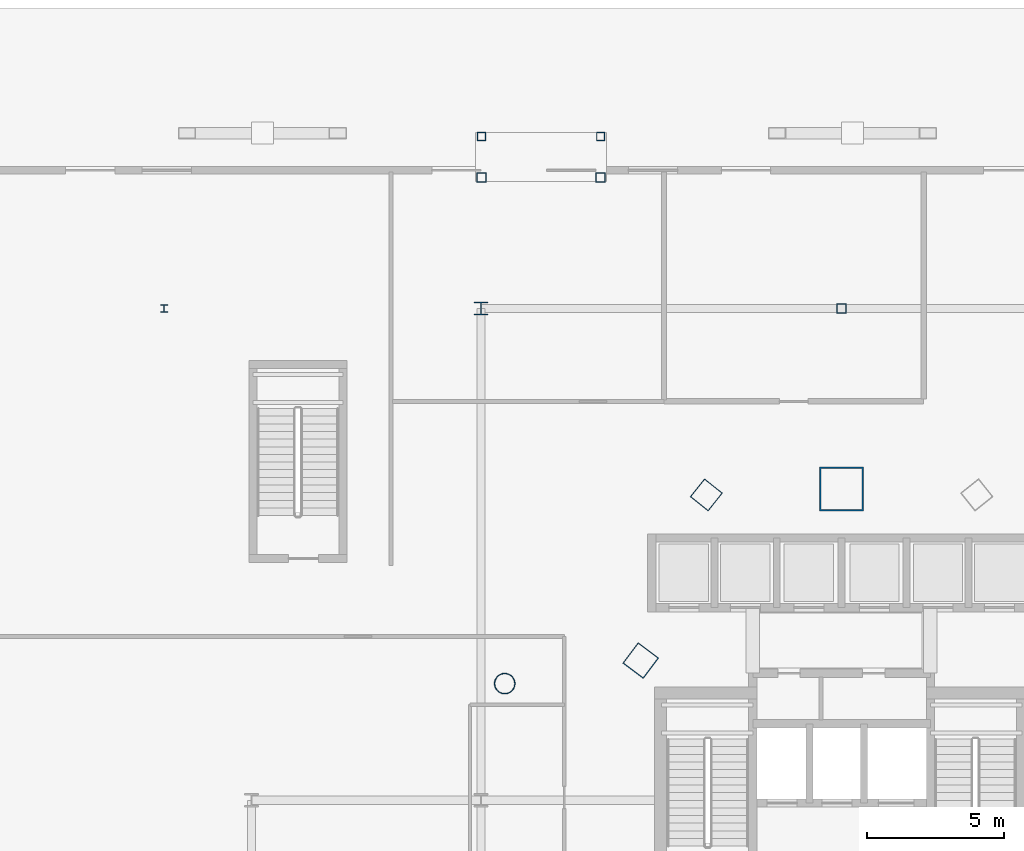
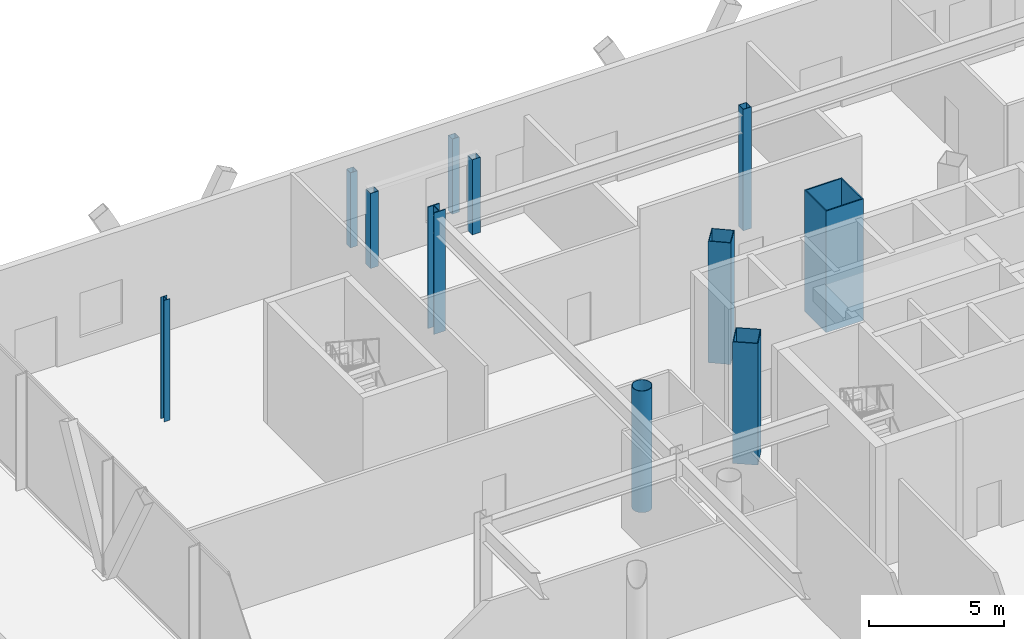
# One storey, part 3 of 38: 11 columns.
"""IFC4 building model written with IfcOpenShell, lengths in metres."""

from ifc_helpers import new_model, si_unit, direction, frame, origin, origin_2d, place, context, subcontext, project, spatial, hollow_rectangle, hollow_circle, i_section, extrude, material, material_profile, profile_set, type_object, element, save


model = new_model("IFC4")

# Units and contexts
model_context = context("Model", 3, precision=1e-05, world=origin(), true_north=direction((0.0, 1.0)))
body_context = subcontext(model_context, "Body", "Model", "MODEL_VIEW")
ifc_project = project(units=[si_unit("LENGTHUNIT", "METRE"), si_unit("AREAUNIT", "SQUARE_METRE"), si_unit("VOLUMEUNIT", "CUBIC_METRE"), si_unit("PLANEANGLEUNIT", "RADIAN"), si_unit("MASSUNIT", "GRAM", prefix="KILO")], contexts=[model_context])

# Site, building, storey
site_placement = place(None, origin())
site = spatial("IfcSite", under=ifc_project, at=site_placement, CompositionType="ELEMENT")
building_placement = place(site_placement, origin())
building = spatial("IfcBuilding", under=site, at=building_placement, Name="Orvanel Arch Residences", CompositionType="ELEMENT")
storey_placement = place(building_placement, origin())
storey = spatial("IfcBuildingStorey", under=building, at=storey_placement, Name="L00", CompositionType="ELEMENT", Elevation=0.0)

# Columns
ifc_material_1 = material(Name="Structural steel AS/NZS 1163 C450L0 (Grade 450)", Category="steel")
ifc_material_profile_1 = material_profile(ifc_material_1, hollow_circle(Radius=0.381103515625, WallThickness=0.02197265625, at=origin_2d()), Name="CHS762x22")
ifc_profile_set_1 = profile_set([ifc_material_profile_1], Name="Structural steel AS/NZS 1163 C450L0 (Grade 450)")
column_type_1 = type_object("IfcColumnType", Name="CC-762", PredefinedType="COLUMN", material=ifc_profile_set_1)
column_1_placement = place(storey_placement, frame((20.669921875, 34.27099609375, 0.0), z_axis=(0.0, 0.0, 1.0), x_axis=(1.0, 0.0, 0.0)))
element("IfcColumn", 1, at=column_1_placement, inside=storey, type_object=column_type_1, Name="L00 Low-Rise Buttress Tube Column 01", PredefinedType="COLUMN", context=body_context, shape_type="SweptSolid", body=[
    extrude(hollow_circle(Radius=0.381103515625, WallThickness=0.02197265625, at=origin_2d()), origin(), (0.0, 0.0, 1.0), 5.5),
])
ifc_material_2 = material(Name="Structural steel AS/NZS 3678 Grade 450", Category="steel")
ifc_material_profile_2 = material_profile(ifc_material_2, hollow_rectangle(XDim=1.60009765625, YDim=1.60009765625, WallThickness=0.050048828125, at=origin_2d()), Name="BOX1600x1600x50")
ifc_profile_set_2 = profile_set([ifc_material_profile_2], Name="Structural steel AS/NZS 3678 Grade 450")
column_type_2 = type_object("IfcColumnType", Name="MC-1600", PredefinedType="COLUMN", material=ifc_profile_set_2)
column_2_placement = place(storey_placement, frame((33.0, 41.39794921875, 0.0), z_axis=(0.0, 0.0, 1.0), x_axis=(1.0, 0.0, 0.0)))
element("IfcColumn", 2, at=column_2_placement, inside=storey, type_object=column_type_2, Name="L00 Corner Composite Mega-Column 1", PredefinedType="COLUMN", context=body_context, shape_type="SweptSolid", body=[
    extrude(hollow_rectangle(XDim=1.60009765625, YDim=1.60009765625, WallThickness=0.050048828125, at=origin_2d()), origin(), (0.0, 0.0, 1.0), 5.5),
])
ifc_material_3 = material(Name="Structural steel AS/NZS 1163 C350L0 (Grade 350)", Category="steel")
ifc_material_profile_3 = material_profile(ifc_material_3, hollow_rectangle(XDim=0.300048828125, YDim=0.300048828125, WallThickness=0.012451171875, at=origin_2d()), Name="SHS300x300x12.5")
ifc_profile_set_3 = profile_set([ifc_material_profile_3], Name="Structural steel AS/NZS 1163 C350L0 (Grade 350)")
column_type_3 = type_object("IfcColumnType", Name="OC-300SHS-EXT", PredefinedType="COLUMN", material=ifc_profile_set_3)
for number, where, z_axis, x_axis, name in (
    (3, (19.820068359375, 54.300048828125, 0.0), (0.0, 0.0, 1.0), (1.0, 0.0, 0.0), "L00 Canopy Front Post 05.1"),
    (4, (24.179931640625, 54.300048828125, 0.0), (0.0, 0.0, 1.0), (1.0, 0.0, 0.0), "L00 Canopy Front Post 05.2"),
):
    element("IfcColumn", number, at=place(storey_placement, frame(where, z_axis=z_axis, x_axis=x_axis)), inside=storey, type_object=column_type_3, Name=name, PredefinedType="COLUMN", context=body_context, shape_type="SweptSolid", body=[
        extrude(hollow_rectangle(XDim=0.300048828125, YDim=0.300048828125, WallThickness=0.012451171875, at=origin_2d()), origin(), (0.0, 0.0, 1.0), 3.39990234375),
    ])
ifc_material_profile_4 = material_profile(ifc_material_3, hollow_rectangle(XDim=0.35009765625, YDim=0.35009765625, WallThickness=0.01611328125, at=origin_2d()), Name="SHS350x350x16")
ifc_profile_set_4 = profile_set([ifc_material_profile_4], Name="Structural steel AS/NZS 1163 C350L0 (Grade 350)")
column_type_4 = type_object("IfcColumnType", Name="OC-350SHS", PredefinedType="COLUMN", material=ifc_profile_set_4)
column_3_placement = place(storey_placement, frame((33.0, 48.0, 0.0), z_axis=(0.0, 0.0, 1.0), x_axis=(1.0, 0.0, 0.0)))
element("IfcColumn", 5, at=column_3_placement, inside=storey, type_object=column_type_4, Name="L00 Auxiliary Podium Column 07", PredefinedType="COLUMN", context=body_context, shape_type="SweptSolid", body=[
    extrude(hollow_rectangle(XDim=0.35009765625, YDim=0.35009765625, WallThickness=0.01611328125, at=origin_2d()), origin(), (0.0, 0.0, 1.0), 5.5),
])
for number, where, z_axis, x_axis, name in (
    (6, (19.820068359375, 52.800048828125, 0.0), (0.0, 0.0, 1.0), (1.0, 0.0, 0.0), "L00 Canopy Rear Support Column 05.1"),
    (7, (24.179931640625, 52.800048828125, 0.0), (0.0, 0.0, 1.0), (1.0, 0.0, 0.0), "L00 Canopy Rear Support Column 05.2"),
):
    element("IfcColumn", number, at=place(storey_placement, frame(where, z_axis=z_axis, x_axis=x_axis)), inside=storey, type_object=column_type_4, Name=name, PredefinedType="COLUMN", context=body_context, shape_type="SweptSolid", body=[
        extrude(hollow_rectangle(XDim=0.35009765625, YDim=0.35009765625, WallThickness=0.01611328125, at=origin_2d()), origin(), (0.0, 0.0, 1.0), 3.39990234375),
    ])
ifc_material_4 = material(Name="Structural steel AS/NZS 3679.1 Grade 300 (300 MPa)", Category="steel")
ifc_material_profile_5 = material_profile(ifc_material_4, i_section(OverallWidth=0.256103515625, OverallDepth=0.260009765625, WebThickness=0.010498046875, FlangeThickness=0.017333984375, at=origin_2d()), Name="250UC89.5")
ifc_profile_set_5 = profile_set([ifc_material_profile_5], Name="Structural steel AS/NZS 3679.1 Grade 300 (300 MPa)")
column_type_5 = type_object("IfcColumnType", Name="SC-250UC", PredefinedType="COLUMN", material=ifc_profile_set_5)
column_4_placement = place(storey_placement, frame((8.199951171875, 48.0, 0.0), z_axis=(0.0, 0.0, 1.0), x_axis=(1.0, 0.0, 0.0)))
element("IfcColumn", 8, at=column_4_placement, inside=storey, type_object=column_type_5, Name="L00 Auxiliary Podium Column 05", PredefinedType="COLUMN", context=body_context, shape_type="SweptSolid", body=[
    extrude(i_section(OverallWidth=0.256103515625, OverallDepth=0.260009765625, WebThickness=0.010498046875, FlangeThickness=0.017333984375, at=origin_2d()), origin(), (0.0, 0.0, 1.0), 5.5),
])
ifc_material_profile_6 = material_profile(ifc_material_4, i_section(OverallWidth=0.5, OverallDepth=0.47998046875, WebThickness=0.028076171875, FlangeThickness=0.0400390625, at=origin_2d()), Name="500WC440")
ifc_profile_set_6 = profile_set([ifc_material_profile_6], Name="Structural steel AS/NZS 3679.1 Grade 300 (300 MPa)")
column_type_6 = type_object("IfcColumnType", Name="SC-500WC", PredefinedType="COLUMN", material=ifc_profile_set_6)
column_5_placement = place(storey_placement, frame((19.800048828125, 48.0, 0.0), z_axis=(0.0, 0.0, 1.0), x_axis=(1.0, 0.0, 0.0)))
element("IfcColumn", 9, at=column_5_placement, inside=storey, type_object=column_type_6, Name="L00 Podium Grid Column 07", PredefinedType="COLUMN", context=body_context, shape_type="SweptSolid", body=[
    extrude(i_section(OverallWidth=0.5, OverallDepth=0.47998046875, WebThickness=0.028076171875, FlangeThickness=0.0400390625, at=origin_2d()), origin(), (0.0, 0.0, 1.0), 5.5),
])
ifc_material_5 = material(Name="Structural steel AS/NZS 3678 Grade 350", Category="steel")
ifc_material_profile_7 = material_profile(ifc_material_5, hollow_rectangle(XDim=0.85009765625, YDim=0.85009765625, WallThickness=0.028076171875, at=origin_2d()), Name="BOX850x850x28")
ifc_profile_set_7 = profile_set([ifc_material_profile_7], Name="Structural steel AS/NZS 3678 Grade 350")
column_type_7 = type_object("IfcColumnType", Name="TC-850", PredefinedType="COLUMN", material=ifc_profile_set_7)
column_6_placement = place(storey_placement, frame((28.050048828125, 41.177978515625, 0.0), z_axis=(0.0, 0.0, 1.0), x_axis=(0.623879596709, 0.781520472419, 0.0)))
element("IfcColumn", 10, at=column_6_placement, inside=storey, type_object=column_type_7, Name="L00 Mid-Rise Buttress Tube Column 01", PredefinedType="COLUMN", context=body_context, shape_type="SweptSolid", body=[
    extrude(hollow_rectangle(XDim=0.85009765625, YDim=0.85009765625, WallThickness=0.028076171875, at=origin_2d()), origin(), (0.0, 0.0, 1.0), 5.5),
])
ifc_material_profile_8 = material_profile(ifc_material_5, hollow_rectangle(XDim=0.949951171875, YDim=0.949951171875, WallThickness=0.031982421875, at=origin_2d()), Name="BOX950x950x32")
ifc_profile_set_8 = profile_set([ifc_material_profile_8], Name="Structural steel AS/NZS 3678 Grade 350")
column_type_8 = type_object("IfcColumnType", Name="TC-950", PredefinedType="COLUMN", material=ifc_profile_set_8)
column_7_placement = place(storey_placement, frame((25.64794921875, 35.113037109375, 0.0), z_axis=(0.0, 0.0, 1.0), x_axis=(0.600420225326, 0.799684658487, 0.0)))
element("IfcColumn", 11, at=column_7_placement, inside=storey, type_object=column_type_8, Name="L00 High-Rise Tube Column 01", PredefinedType="COLUMN", context=body_context, shape_type="SweptSolid", body=[
    extrude(hollow_rectangle(XDim=0.949951171875, YDim=0.949951171875, WallThickness=0.031982421875, at=origin_2d()), origin(), (0.0, 0.0, 1.0), 5.5),
])

save(model, "model.ifc")
